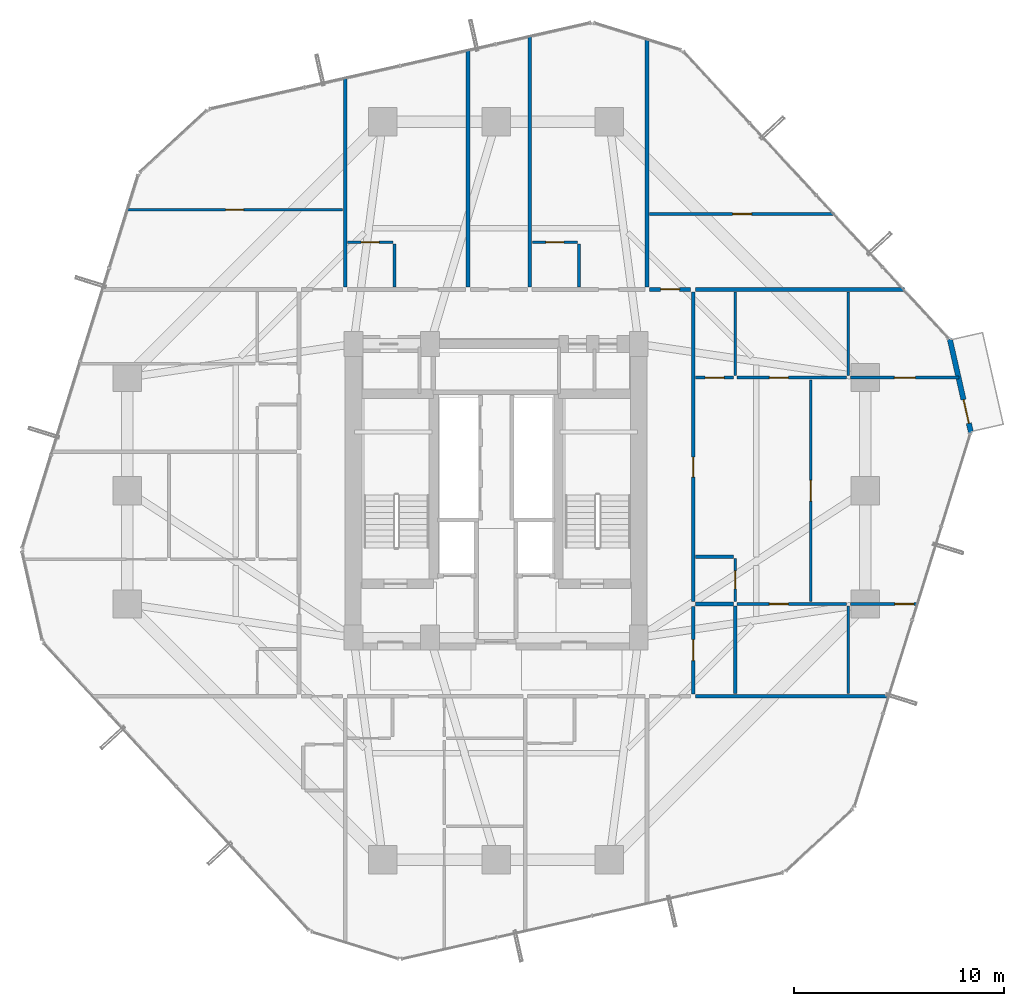
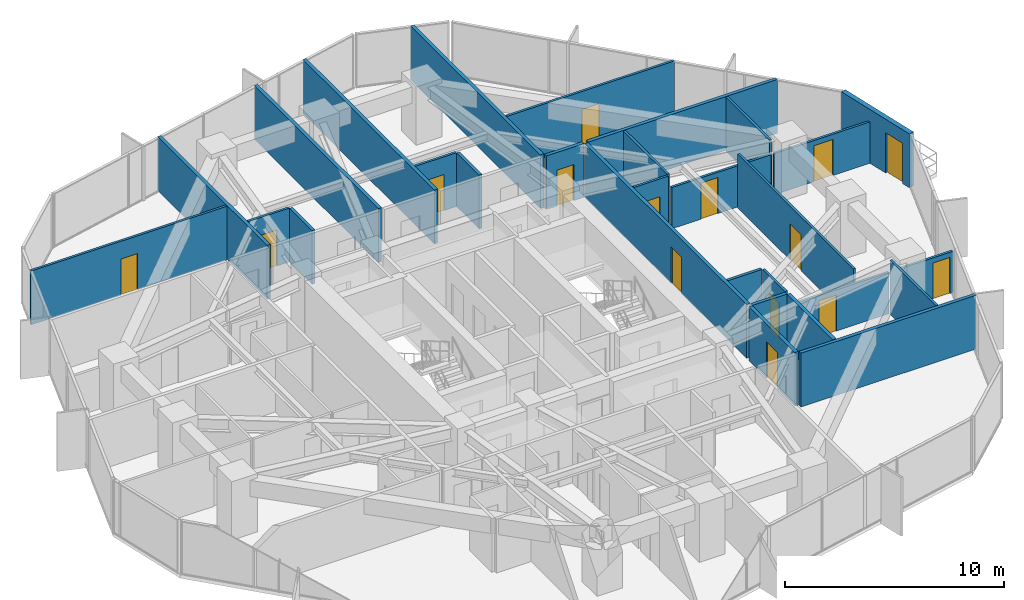
# One storey, part 36 of 39: 29 walls, 15 doors, 15 openings.
"""IFC4 building model written with IfcOpenShell, lengths in metres."""

from ifc_helpers import new_model, si_unit, direction, frame, frame_2d, origin, place, context, subcontext, project, spatial, rectangle, extrude, source, transform, mapped, material, layer, layer_set, type_object, element, fill, save


model = new_model("IFC4")

# Units and contexts
model_context = context("Model", 3, precision=1e-05, world=origin(), true_north=direction((0.0, 1.0)))
body_context = subcontext(model_context, "Body", "Model", "MODEL_VIEW")
ifc_project = project(units=[si_unit("LENGTHUNIT", "METRE"), si_unit("AREAUNIT", "SQUARE_METRE"), si_unit("VOLUMEUNIT", "CUBIC_METRE"), si_unit("PLANEANGLEUNIT", "RADIAN"), si_unit("MASSUNIT", "GRAM", prefix="KILO")], contexts=[model_context])

# Site, building, storey
site_placement = place(None, origin())
site = spatial("IfcSite", under=ifc_project, at=site_placement, CompositionType="ELEMENT")
building_placement = place(site_placement, origin())
building = spatial("IfcBuilding", under=site, at=building_placement, Name="Veraguas Prism Commons", CompositionType="ELEMENT")
storey_placement = place(building_placement, frame((0.0, 0.0, 67.35009765625)))
storey = spatial("IfcBuildingStorey", under=building, at=storey_placement, Name="L18", CompositionType="ELEMENT", Elevation=67.35009765625)

# Walls
ifc_material_1 = material(Name="Autoclaved aerated masonry block 10 MPa", Category="masonry")
ifc_layer_1 = layer(ifc_material_1, 0.179931640625, Name="Corridor and Inter-Tenancy Partition 180", Category="masonry")
ifc_layer_set_1 = layer_set([ifc_layer_1], Name="Autoclaved aerated masonry block 10 MPa")
wall_type_1 = type_object("IfcWallType", Name="Corridor and Inter-Tenancy Partition 180", PredefinedType="PARTITIONING", material=ifc_layer_set_1)
wall_1_placement = place(storey_placement, frame((16.800048828125, 33.719970703125, 0.0), z_axis=(0.0, 0.0, 1.0), x_axis=(0.0, 1.0, 0.0)))
element("IfcWall", 1, at=wall_1_placement, inside=storey, type_object=wall_type_1, Name="WL-L18-PT015", PredefinedType="PARTITIONING", context=body_context, shape_type="SweptSolid", body=[
    extrude(rectangle(XDim=9.9921875, YDim=0.179931640625, at=frame_2d((4.99609375, 0.0))), origin(), (0.0, 0.0, 1.0), 3.0),
])
wall_2_placement = place(storey_placement, frame((31.199951171875, 33.719970703125, 0.0), z_axis=(0.0, 0.0, 1.0), x_axis=(0.0, 1.0, 0.0)))
element("IfcWall", 2, at=wall_2_placement, inside=storey, type_object=wall_type_1, Name="WL-L18-PT016", PredefinedType="PARTITIONING", context=body_context, shape_type="SweptSolid", body=[
    extrude(rectangle(XDim=11.845947265625, YDim=0.179931640625, at=frame_2d((5.9228515625, 0.0))), origin(), (0.0, 0.0, 1.0), 3.0),
])
wall_3_placement = place(storey_placement, frame((22.657958984375, 33.719970703125, 0.0), z_axis=(0.0, 0.0, 1.0), x_axis=(0.0, 1.0, 0.0)))
element("IfcWall", 3, at=wall_3_placement, inside=storey, type_object=wall_type_1, Name="WL-L18-PT018", PredefinedType="PARTITIONING", context=body_context, shape_type="SweptSolid", body=[
    extrude(rectangle(XDim=11.316650390625, YDim=0.179931640625, at=frame_2d((5.658203125, 0.0))), origin(), (0.0, 0.0, 1.0), 3.0),
])
wall_4_placement = place(storey_placement, frame((25.60791015625, 33.719970703125, 0.0), z_axis=(0.0, 0.0, 1.0), x_axis=(0.0, 1.0, 0.0)))
element("IfcWall", 4, at=wall_4_placement, inside=storey, type_object=wall_type_1, Name="WL-L18-PT022", PredefinedType="PARTITIONING", context=body_context, shape_type="SweptSolid", body=[
    extrude(rectangle(XDim=11.983642578125, YDim=0.179931640625, at=frame_2d((5.99169921875, 0.0))), origin(), (0.0, 0.0, 1.0), 3.0),
])
wall_5_placement = place(storey_placement, frame((33.52001953125, 14.199951171875, 0.0), z_axis=(0.0, 0.0, 1.0), x_axis=(1.0, 0.0, 0.0)))
element("IfcWall", 5, at=wall_5_placement, inside=storey, type_object=wall_type_1, Name="WL-L18-PT043", PredefinedType="PARTITIONING", context=body_context, shape_type="SweptSolid", body=[
    extrude(rectangle(XDim=9.231201171875, YDim=0.179931640625, at=frame_2d((4.61572265625, 0.0))), origin(), (0.0, 0.0, 1.0), 3.0),
])
wall_6_placement = place(storey_placement, frame((33.52001953125, 33.60009765625, 0.0), z_axis=(0.0, 0.0, 1.0), x_axis=(1.0, 0.0, 0.0)))
element("IfcWall", 6, at=wall_6_placement, inside=storey, type_object=wall_type_1, Name="WL-L18-PT044", PredefinedType="PARTITIONING", context=body_context, shape_type="SweptSolid", body=[
    extrude(rectangle(XDim=9.94970703125, YDim=0.179931640625, at=frame_2d((4.974853515625, 0.0))), origin(), (0.0, 0.0, 1.0), 3.0),
])

# Wall, opening, door
wall_7_placement = place(storey_placement, frame((33.39990234375, 14.31005859375, 0.0), z_axis=(0.0, 0.0, 1.0), x_axis=(0.0, 1.0, 0.0)))
wall_7 = element("IfcWall", 7, at=wall_7_placement, inside=storey, type_object=wall_type_1, Name="WL-L18-PT045", PredefinedType="PARTITIONING", context=body_context, shape_type="SweptSolid", body=[
    extrude(rectangle(XDim=4.179931640625, YDim=0.179931640625, at=frame_2d((2.08984375, 0.0))), origin(), (0.0, 0.0, 1.0), 3.0),
])
opening_1_placement = place(wall_7_placement, frame((1.590087890625, 0.0, 0.0)))
opening_1 = element("IfcOpeningElement", 8, at=opening_1_placement, cuts=wall_7, Name="Opening DR-13", PredefinedType="OPENING", context=body_context, shape_type="SweptSolid", body=[
    extrude(rectangle(XDim=1.0, YDim=2.010009765625, at=frame_2d((0.5, 1.0048828125))), frame((0.0, 0.099853515625, 0.0), z_axis=(0.0, -1.0, 0.0), x_axis=(1.0, 0.0, 0.0)), (0.0, 0.0, 1.0), 0.199951171875),
])
ifc_material_2 = material(Name="Steel fire-rated door assembly", Category="steel")
door_type_1 = type_object("IfcDoorType", Name="Core Accessible WC and Clinic Fire Door 1000x2010", OperationType="NOTDEFINED", PredefinedType="DOOR", material=ifc_material_2)
shared_shape_1 = source(origin(), body_context, "Body", "SweptSolid", [
    extrude(rectangle(XDim=1.0, YDim=2.010009765625, at=frame_2d((0.5, 1.0048828125))), frame((0.0, 0.02490234375, 0.0), z_axis=(0.0, -1.0, 0.0), x_axis=(1.0, 0.0, 0.0)), (0.0, 0.0, 1.0), 0.050048828125),
])
door_1_placement = place(opening_1_placement, origin())
door_1 = element("IfcDoor", 9, at=door_1_placement, inside=storey, type_object=door_type_1, Name="Residents Study Alcove 18G Door", OperationType="SINGLE_SWING_LEFT", OverallHeight=2.010009765625, OverallWidth=1.0, PredefinedType="DOOR", context=body_context, shape_type="MappedRepresentation", body=[
    mapped(shared_shape_1, transform((0.0, 0.0, 0.0), scale=1.0)),
])
fill(opening_1, door_1)

wall_8_placement = place(storey_placement, frame((33.39990234375, 18.7099609375, 0.0), z_axis=(0.0, 0.0, 1.0), x_axis=(0.0, 1.0, 0.0)))
wall_8 = element("IfcWall", 10, at=wall_8_placement, inside=storey, type_object=wall_type_1, Name="WL-L18-PT046", PredefinedType="PARTITIONING", context=body_context, shape_type="SweptSolid", body=[
    extrude(rectangle(XDim=14.780029296875, YDim=0.179931640625, at=frame_2d((7.39013671875, 0.0))), origin(), (0.0, 0.0, 1.0), 3.0),
])
opening_2_placement = place(wall_8_placement, frame((5.93994140625, 0.0, 0.0)))
opening_2 = element("IfcOpeningElement", 11, at=opening_2_placement, cuts=wall_8, Name="Opening DR-01", PredefinedType="OPENING", context=body_context, shape_type="SweptSolid", body=[
    extrude(rectangle(XDim=0.949951171875, YDim=2.02001953125, at=frame_2d((0.47509765625, 1.010009765625))), frame((0.0, 0.099853515625, 0.0), z_axis=(0.0, -1.0, 0.0), x_axis=(1.0, 0.0, 0.0)), (0.0, 0.0, 1.0), 0.199951171875),
])
ifc_material_3 = material(Name="Anodised aluminium EN AW-6063 T6", Category="aluminium")
door_type_2 = type_object("IfcDoorType", Name="Apartment Entrance Fire Door 950x2020", OperationType="NOTDEFINED", PredefinedType="DOOR", material=ifc_material_3)
shared_shape_2 = source(origin(), body_context, "Body", "SweptSolid", [
    extrude(rectangle(XDim=0.949951171875, YDim=2.02001953125, at=frame_2d((0.47509765625, 1.010009765625))), frame((0.0, 0.02490234375, 0.0), z_axis=(0.0, -1.0, 0.0), x_axis=(1.0, 0.0, 0.0)), (0.0, 0.0, 1.0), 0.050048828125),
])
door_2_placement = place(opening_2_placement, origin())
door_2 = element("IfcDoor", 12, at=door_2_placement, inside=storey, type_object=door_type_2, Name="Flat 18G Entrance Door", OperationType="SINGLE_SWING_RIGHT", OverallHeight=2.02001953125, OverallWidth=0.949951171875, PredefinedType="DOOR", context=body_context, shape_type="MappedRepresentation", body=[
    mapped(shared_shape_2, transform((0.0, 0.0, 0.0), scale=1.0)),
])
fill(opening_2, door_2)

# Walls
wall_9_placement = place(storey_placement, frame((35.39990234375, 14.320068359375, 0.0), z_axis=(0.0, 0.0, 1.0), x_axis=(0.0, 1.0, 0.0)))
element("IfcWall", 13, at=wall_9_placement, inside=storey, type_object=wall_type_1, Name="WL-L18-PT052", PredefinedType="PARTITIONING", context=body_context, shape_type="SweptSolid", body=[
    extrude(rectangle(XDim=4.179931640625, YDim=0.179931640625, at=frame_2d((2.08984375, 0.0))), origin(), (0.0, 0.0, 1.0), 3.0),
])
wall_10_placement = place(storey_placement, frame((33.52001953125, 18.60009765625, 0.0), z_axis=(0.0, 0.0, 1.0), x_axis=(1.0, 0.0, 0.0)))
element("IfcWall", 14, at=wall_10_placement, inside=storey, type_object=wall_type_1, Name="WL-L18-PT053", PredefinedType="PARTITIONING", context=body_context, shape_type="SweptSolid", body=[
    extrude(rectangle(XDim=1.800048828125, YDim=0.179931640625, at=frame_2d((0.89990234375, 0.0))), origin(), (0.0, 0.0, 1.0), 3.0),
])

# Wall, opening, door
wall_11_placement = place(storey_placement, frame((31.320068359375, 33.60009765625, 0.0), z_axis=(0.0, 0.0, 1.0), x_axis=(1.0, 0.0, 0.0)))
wall_11 = element("IfcWall", 15, at=wall_11_placement, inside=storey, type_object=wall_type_1, Name="WL-L18-PT067", PredefinedType="PARTITIONING", context=body_context, shape_type="SweptSolid", body=[
    extrude(rectangle(XDim=1.9599609375, YDim=0.179931640625, at=frame_2d((0.97998046875, 0.0))), origin(), (0.0, 0.0, 1.0), 3.0),
])
opening_3_placement = place(wall_11_placement, frame((0.530029296875, 0.0, 0.0)))
opening_3 = element("IfcOpeningElement", 16, at=opening_3_placement, cuts=wall_11, Name="Opening DR-14", PredefinedType="OPENING", context=body_context, shape_type="SweptSolid", body=[
    extrude(rectangle(XDim=0.89990234375, YDim=2.010009765625, at=frame_2d((0.449951171875, 1.0048828125))), frame((0.0, 0.099853515625, 0.0), z_axis=(0.0, -1.0, 0.0), x_axis=(1.0, 0.0, 0.0)), (0.0, 0.0, 1.0), 0.199951171875),
])
door_type_3 = type_object("IfcDoorType", Name="Core Service Room Fire Door 900x2010", OperationType="NOTDEFINED", PredefinedType="DOOR", material=ifc_material_2)
shared_shape_3 = source(origin(), body_context, "Body", "SweptSolid", [
    extrude(rectangle(XDim=0.89990234375, YDim=2.010009765625, at=frame_2d((0.449951171875, 1.0048828125))), frame((0.0, 0.02490234375, 0.0), z_axis=(0.0, -1.0, 0.0), x_axis=(1.0, 0.0, 0.0)), (0.0, 0.0, 1.0), 0.050048828125),
])
door_3_placement = place(opening_3_placement, origin())
door_3 = element("IfcDoor", 17, at=door_3_placement, inside=storey, type_object=door_type_3, Name="Corner Study NE Door", OperationType="SINGLE_SWING_LEFT", OverallHeight=2.010009765625, OverallWidth=0.89990234375, PredefinedType="DOOR", context=body_context, shape_type="MappedRepresentation", body=[
    mapped(shared_shape_3, transform((0.0, 0.0, 0.0), scale=1.0)),
])
fill(opening_3, door_3)

ifc_material_4 = material(Name="Precast concrete C40/50", Category="concrete")
ifc_layer_2 = layer(ifc_material_4, 0.25, Name="External Loggia and Portal Wall 250", Category="concrete")
ifc_layer_set_2 = layer_set([ifc_layer_2], Name="Precast concrete C40/50")
wall_type_2 = type_object("IfcWallType", Name="External Loggia and Portal Wall 250", PredefinedType="SOLIDWALL", material=ifc_layer_set_2)
wall_12_placement = place(storey_placement, frame((46.647216796875, 26.772705078125, 0.0), z_axis=(0.0, 0.0, 1.0), x_axis=(-0.220535742642, 0.97537889367, 0.0)))
wall_12 = element("IfcWall", 18, at=wall_12_placement, inside=storey, type_object=wall_type_2, Name="Corner Loggia Wall L18-C1", PredefinedType="SOLIDWALL", context=body_context, shape_type="SweptSolid", body=[
    extrude(rectangle(XDim=4.579833984375, YDim=0.25, at=frame_2d((2.2900390625, 0.0))), origin(), (0.0, 0.0, 1.0), 3.0),
])
opening_4_placement = place(wall_12_placement, frame((0.4599609375, 0.0, 0.0)))
opening_4 = element("IfcOpeningElement", 19, at=opening_4_placement, cuts=wall_12, Name="Opening DR-10", PredefinedType="OPENING", context=body_context, shape_type="SweptSolid", body=[
    extrude(rectangle(XDim=1.14990234375, YDim=2.25, at=frame_2d((0.574951171875, 1.125))), frame((0.0, 0.135009765625, 0.0), z_axis=(0.0, -1.0, 0.0), x_axis=(1.0, 0.0, 0.0)), (0.0, 0.0, 1.0), 0.27001953125),
])
door_type_4 = type_object("IfcDoorType", Name="Glazed Loggia and Terrace Door 1150x2250", OperationType="NOTDEFINED", PredefinedType="DOOR", material=ifc_material_3)
shared_shape_4 = source(origin(), body_context, "Body", "SweptSolid", [
    extrude(rectangle(XDim=1.14990234375, YDim=2.25, at=frame_2d((0.574951171875, 1.125))), frame((0.0, 0.02490234375, 0.0), z_axis=(0.0, -1.0, 0.0), x_axis=(1.0, 0.0, 0.0)), (0.0, 0.0, 1.0), 0.050048828125),
])
door_4_placement = place(opening_4_placement, frame((1.14990234375, 0.0, 0.0), z_axis=(0.0, 0.0, 1.0), x_axis=(-1.0, 0.0, 0.0)))
door_4 = element("IfcDoor", 20, at=door_4_placement, inside=storey, type_object=door_type_4, Name="Recessed Loggia Door L18-C1", OperationType="SINGLE_SWING_RIGHT", OverallHeight=2.25, OverallWidth=1.14990234375, PredefinedType="DOOR", context=body_context, shape_type="MappedRepresentation", body=[
    mapped(shared_shape_4, transform((0.0, 0.0, 0.0), scale=1.0)),
])
fill(opening_4, door_4)

ifc_material_5 = material(Name="Lightweight acoustic gypsum board")
ifc_layer_3 = layer(ifc_material_5, 0.125, Name="Internal Apartment Room Partition 125")
ifc_layer_set_3 = layer_set([ifc_layer_3], Name="Lightweight acoustic gypsum board")
wall_type_3 = type_object("IfcWallType", Name="Internal Apartment Room Partition 125", PredefinedType="PARTITIONING", material=ifc_layer_set_3)
wall_13_placement = place(storey_placement, frame((16.919921875, 35.85009765625, 0.0), z_axis=(0.0, 0.0, 1.0), x_axis=(1.0, 0.0, 0.0)))
wall_13 = element("IfcWall", 21, at=wall_13_placement, inside=storey, type_object=wall_type_3, Name="WL-L18-PT021", PredefinedType="PARTITIONING", context=body_context, shape_type="SweptSolid", body=[
    extrude(rectangle(XDim=2.150146484375, YDim=0.125, at=frame_2d((1.0751953125, 0.0))), origin(), (0.0, 0.0, 1.0), 3.0),
])
opening_5_placement = place(wall_13_placement, frame((0.64501953125, 0.0, 0.0)))
opening_5 = element("IfcOpeningElement", 22, at=opening_5_placement, cuts=wall_13, Name="Opening DR-03", PredefinedType="OPENING", context=body_context, shape_type="SweptSolid", body=[
    extrude(rectangle(XDim=0.860107421875, YDim=2.010009765625, at=frame_2d((0.43017578125, 1.0048828125))), frame((0.0, 0.072509765625, 0.0), z_axis=(0.0, -1.0, 0.0), x_axis=(1.0, 0.0, 0.0)), (0.0, 0.0, 1.0), 0.14501953125),
])
ifc_material_6 = material(Name="Timber moisture-resistant leaf", Category="wood")
door_type_5 = type_object("IfcDoorType", Name="Internal Bathroom Door 860x2010", OperationType="NOTDEFINED", PredefinedType="DOOR", material=ifc_material_6)
shared_shape_5 = source(origin(), body_context, "Body", "SweptSolid", [
    extrude(rectangle(XDim=0.860107421875, YDim=2.010009765625, at=frame_2d((0.43017578125, 1.0048828125))), frame((0.0, 0.02490234375, 0.0), z_axis=(0.0, -1.0, 0.0), x_axis=(1.0, 0.0, 0.0)), (0.0, 0.0, 1.0), 0.050048828125),
])
door_5_placement = place(opening_5_placement, origin())
door_5 = element("IfcDoor", 23, at=door_5_placement, inside=storey, type_object=door_type_5, Name="Studio 18C Bathroom Door", OperationType="SINGLE_SWING_LEFT", OverallHeight=2.010009765625, OverallWidth=0.860107421875, PredefinedType="DOOR", context=body_context, shape_type="MappedRepresentation", body=[
    mapped(shared_shape_5, transform((0.0, 0.0, 0.0), scale=1.0)),
])
fill(opening_5, door_5)

wall_14_placement = place(storey_placement, frame((25.72802734375, 35.85009765625, 0.0), z_axis=(0.0, 0.0, 1.0), x_axis=(1.0, 0.0, 0.0)))
wall_14 = element("IfcWall", 24, at=wall_14_placement, inside=storey, type_object=wall_type_3, Name="WL-L18-PT025", PredefinedType="PARTITIONING", context=body_context, shape_type="SweptSolid", body=[
    extrude(rectangle(XDim=2.14990234375, YDim=0.125, at=frame_2d((1.074951171875, 0.0))), origin(), (0.0, 0.0, 1.0), 3.0),
])
opening_6_placement = place(wall_14_placement, frame((0.64501953125, 0.0, 0.0)))
opening_6 = element("IfcOpeningElement", 25, at=opening_6_placement, cuts=wall_14, Name="Opening DR-03", PredefinedType="OPENING", context=body_context, shape_type="SweptSolid", body=[
    extrude(rectangle(XDim=0.860107421875, YDim=2.010009765625, at=frame_2d((0.43017578125, 1.0048828125))), frame((0.0, 0.072509765625, 0.0), z_axis=(0.0, -1.0, 0.0), x_axis=(1.0, 0.0, 0.0)), (0.0, 0.0, 1.0), 0.14501953125),
])
door_6_placement = place(opening_6_placement, origin())
door_6 = element("IfcDoor", 26, at=door_6_placement, inside=storey, type_object=door_type_5, Name="Studio 18D Bathroom Door", OperationType="SINGLE_SWING_LEFT", OverallHeight=2.010009765625, OverallWidth=0.860107421875, PredefinedType="DOOR", context=body_context, shape_type="MappedRepresentation", body=[
    mapped(shared_shape_5, transform((0.0, 0.0, 0.0), scale=1.0)),
])
fill(opening_6, door_6)

# Wall
wall_15_placement = place(storey_placement, frame((40.800048828125, 14.320068359375, 0.0), z_axis=(0.0, 0.0, 1.0), x_axis=(0.0, 1.0, 0.0)))
element("IfcWall", 27, at=wall_15_placement, inside=storey, type_object=wall_type_3, Name="WL-L18-PT047", PredefinedType="PARTITIONING", context=body_context, shape_type="SweptSolid", body=[
    extrude(rectangle(XDim=4.179931640625, YDim=0.125, at=frame_2d((2.08984375, 0.0))), origin(), (0.0, 0.0, 1.0), 3.0),
])

# Wall, opening, door
wall_16_placement = place(storey_placement, frame((40.89990234375, 18.60009765625, 0.0), z_axis=(0.0, 0.0, 1.0), x_axis=(1.0, 0.0, 0.0)))
wall_16 = element("IfcWall", 28, at=wall_16_placement, inside=storey, type_object=wall_type_3, Name="WL-L18-PT048", PredefinedType="PARTITIONING", context=body_context, shape_type="SweptSolid", body=[
    extrude(rectangle(XDim=3.218505859375, YDim=0.125, at=frame_2d((1.609375, 0.0))), origin(), (0.0, 0.0, 1.0), 2.298828125),
])
opening_7_placement = place(wall_16_placement, frame((2.118408203125, 0.0, 0.0)))
opening_7 = element("IfcOpeningElement", 29, at=opening_7_placement, cuts=wall_16, Name="Opening DR-02", PredefinedType="OPENING", context=body_context, shape_type="SweptSolid", body=[
    extrude(rectangle(XDim=0.89990234375, YDim=2.010009765625, at=frame_2d((0.449951171875, 1.0048828125))), frame((0.0, 0.072509765625, 0.0), z_axis=(0.0, -1.0, 0.0), x_axis=(1.0, 0.0, 0.0)), (0.0, 0.0, 1.0), 0.14501953125),
])
ifc_material_7 = material(Name="Timber solid core hardwood", Category="wood")
door_type_6 = type_object("IfcDoorType", Name="Internal Habitable Room Door 900x2010", OperationType="NOTDEFINED", PredefinedType="DOOR", material=ifc_material_7)
door_7_placement = place(opening_7_placement, origin())
door_7 = element("IfcDoor", 30, at=door_7_placement, inside=storey, type_object=door_type_6, Name="Flat 18G Bedroom 3 Door", OperationType="SINGLE_SWING_LEFT", OverallHeight=2.010009765625, OverallWidth=0.89990234375, PredefinedType="DOOR", context=body_context, shape_type="MappedRepresentation", body=[
    mapped(shared_shape_3, transform((0.0, 0.0, 0.0), scale=1.0)),
])
fill(opening_7, door_7)

# Wall
wall_17_placement = place(storey_placement, frame((40.800048828125, 29.5, 0.0), z_axis=(0.0, 0.0, 1.0), x_axis=(0.0, 1.0, 0.0)))
element("IfcWall", 31, at=wall_17_placement, inside=storey, type_object=wall_type_3, Name="WL-L18-PT049", PredefinedType="PARTITIONING", context=body_context, shape_type="SweptSolid", body=[
    extrude(rectangle(XDim=3.97998046875, YDim=0.125, at=frame_2d((1.989990234375, 0.0))), origin(), (0.0, 0.0, 1.0), 3.0),
])

# Wall, opening, door
wall_18_placement = place(storey_placement, frame((40.89990234375, 29.39990234375, 0.0), z_axis=(0.0, 0.0, 1.0), x_axis=(1.0, 0.0, 0.0)))
wall_18 = element("IfcWall", 32, at=wall_18_placement, inside=storey, type_object=wall_type_3, Name="WL-L18-PT050", PredefinedType="PARTITIONING", context=body_context, shape_type="SweptSolid", body=[
    extrude(rectangle(XDim=5.183837890625, YDim=0.125, at=frame_2d((2.591796875, 0.0))), origin(), (0.0, 0.0, 1.0), 2.298828125),
])
opening_8_placement = place(wall_18_placement, frame((2.091796875, 0.0, 0.0)))
opening_8 = element("IfcOpeningElement", 33, at=opening_8_placement, cuts=wall_18, Name="Opening DR-04", PredefinedType="OPENING", context=body_context, shape_type="SweptSolid", body=[
    extrude(rectangle(XDim=1.0, YDim=2.010009765625, at=frame_2d((0.5, 1.0048828125))), frame((0.0, 0.072509765625, 0.0), z_axis=(0.0, -1.0, 0.0), x_axis=(1.0, 0.0, 0.0)), (0.0, 0.0, 1.0), 0.14501953125),
])
door_type_7 = type_object("IfcDoorType", Name="Accessible WC and Clinic Exam Door 1000x2010", OperationType="NOTDEFINED", PredefinedType="DOOR", material=ifc_material_3)
door_8_placement = place(opening_8_placement, origin())
door_8 = element("IfcDoor", 34, at=door_8_placement, inside=storey, type_object=door_type_7, Name="Flat 18G Study Door", OperationType="SINGLE_SWING_RIGHT", OverallHeight=2.010009765625, OverallWidth=1.0, PredefinedType="DOOR", context=body_context, shape_type="MappedRepresentation", body=[
    mapped(shared_shape_1, transform((0.0, 0.0, 0.0), scale=1.0)),
])
fill(opening_8, door_8)

wall_19_placement = place(storey_placement, frame((39.0, 18.719970703125, 0.0), z_axis=(0.0, 0.0, 1.0), x_axis=(0.0, 1.0, 0.0)))
wall_19 = element("IfcWall", 35, at=wall_19_placement, inside=storey, type_object=wall_type_3, Name="WL-L18-PT051", PredefinedType="PARTITIONING", context=body_context, shape_type="SweptSolid", body=[
    extrude(rectangle(XDim=10.56005859375, YDim=0.125, at=frame_2d((5.280029296875, 0.0))), origin(), (0.0, 0.0, 1.0), 3.0),
])
opening_9_placement = place(wall_19_placement, frame((4.780029296875, 0.0, 0.0)))
opening_9 = element("IfcOpeningElement", 36, at=opening_9_placement, cuts=wall_19, Name="Opening DR-04", PredefinedType="OPENING", context=body_context, shape_type="SweptSolid", body=[
    extrude(rectangle(XDim=1.0, YDim=2.010009765625, at=frame_2d((0.5, 1.0048828125))), frame((0.0, 0.072509765625, 0.0), z_axis=(0.0, -1.0, 0.0), x_axis=(1.0, 0.0, 0.0)), (0.0, 0.0, 1.0), 0.14501953125),
])
door_9_placement = place(opening_9_placement, origin())
door_9 = element("IfcDoor", 37, at=door_9_placement, inside=storey, type_object=door_type_7, Name="Flat 18G Sunroom Door", OperationType="SINGLE_SWING_LEFT", OverallHeight=2.010009765625, OverallWidth=1.0, PredefinedType="DOOR", context=body_context, shape_type="MappedRepresentation", body=[
    mapped(shared_shape_1, transform((0.0, 0.0, 0.0), scale=1.0)),
])
fill(opening_9, door_9)

wall_20_placement = place(storey_placement, frame((35.5, 18.60009765625, 0.0), z_axis=(0.0, 0.0, 1.0), x_axis=(1.0, 0.0, 0.0)))
wall_20 = element("IfcWall", 38, at=wall_20_placement, inside=storey, type_object=wall_type_3, Name="WL-L18-PT054", PredefinedType="PARTITIONING", context=body_context, shape_type="SweptSolid", body=[
    extrude(rectangle(XDim=5.219970703125, YDim=0.125, at=frame_2d((2.60986328125, 0.0))), origin(), (0.0, 0.0, 1.0), 2.298828125),
])
opening_10_placement = place(wall_20_placement, frame((1.53271484375, 0.0, 0.0)))
opening_10 = element("IfcOpeningElement", 39, at=opening_10_placement, cuts=wall_20, Name="Opening DR-02", PredefinedType="OPENING", context=body_context, shape_type="SweptSolid", body=[
    extrude(rectangle(XDim=0.89990234375, YDim=2.010009765625, at=frame_2d((0.449951171875, 1.0048828125))), frame((0.0, 0.072509765625, 0.0), z_axis=(0.0, -1.0, 0.0), x_axis=(1.0, 0.0, 0.0)), (0.0, 0.0, 1.0), 0.14501953125),
])
door_10_placement = place(opening_10_placement, origin())
door_10 = element("IfcDoor", 40, at=door_10_placement, inside=storey, type_object=door_type_6, Name="Flat 18G Bedroom 2 Door", OperationType="SINGLE_SWING_RIGHT", OverallHeight=2.010009765625, OverallWidth=0.89990234375, PredefinedType="DOOR", context=body_context, shape_type="MappedRepresentation", body=[
    mapped(shared_shape_3, transform((0.0, 0.0, 0.0), scale=1.0)),
])
fill(opening_10, door_10)

wall_21_placement = place(storey_placement, frame((35.39990234375, 18.719970703125, 0.0), z_axis=(0.0, 0.0, 1.0), x_axis=(0.0, 1.0, 0.0)))
wall_21 = element("IfcWall", 41, at=wall_21_placement, inside=storey, type_object=wall_type_3, Name="WL-L18-PT056", PredefinedType="PARTITIONING", context=body_context, shape_type="SweptSolid", body=[
    extrude(rectangle(XDim=2.050048828125, YDim=0.125, at=frame_2d((1.02490234375, 0.0))), origin(), (0.0, 0.0, 1.0), 3.0),
])
opening_11_placement = place(wall_21_placement, frame((0.594970703125, 0.0, 0.0)))
opening_11 = element("IfcOpeningElement", 42, at=opening_11_placement, cuts=wall_21, Name="Opening DR-03", PredefinedType="OPENING", context=body_context, shape_type="SweptSolid", body=[
    extrude(rectangle(XDim=0.860107421875, YDim=2.010009765625, at=frame_2d((0.43017578125, 1.0048828125))), frame((0.0, 0.072509765625, 0.0), z_axis=(0.0, -1.0, 0.0), x_axis=(1.0, 0.0, 0.0)), (0.0, 0.0, 1.0), 0.14501953125),
])
door_11_placement = place(opening_11_placement, origin())
door_11 = element("IfcDoor", 43, at=door_11_placement, inside=storey, type_object=door_type_5, Name="Flat 18G Bathroom Door", OperationType="SINGLE_SWING_LEFT", OverallHeight=2.010009765625, OverallWidth=0.860107421875, PredefinedType="DOOR", context=body_context, shape_type="MappedRepresentation", body=[
    mapped(shared_shape_5, transform((0.0, 0.0, 0.0), scale=1.0)),
])
fill(opening_11, door_11)

wall_22_placement = place(storey_placement, frame((33.52001953125, 29.39990234375, 0.0), z_axis=(0.0, 0.0, 1.0), x_axis=(1.0, 0.0, 0.0)))
wall_22 = element("IfcWall", 44, at=wall_22_placement, inside=storey, type_object=wall_type_3, Name="WL-L18-PT057", PredefinedType="PARTITIONING", context=body_context, shape_type="SweptSolid", body=[
    extrude(rectangle(XDim=1.800048828125, YDim=0.125, at=frame_2d((0.89990234375, 0.0))), origin(), (0.0, 0.0, 1.0), 3.0),
])
opening_12_placement = place(wall_22_placement, frame((0.449951171875, 0.0, 0.0)))
opening_12 = element("IfcOpeningElement", 45, at=opening_12_placement, cuts=wall_22, Name="Opening DR-02", PredefinedType="OPENING", context=body_context, shape_type="SweptSolid", body=[
    extrude(rectangle(XDim=0.89990234375, YDim=2.010009765625, at=frame_2d((0.449951171875, 1.0048828125))), frame((0.0, 0.072509765625, 0.0), z_axis=(0.0, -1.0, 0.0), x_axis=(1.0, 0.0, 0.0)), (0.0, 0.0, 1.0), 0.14501953125),
])
door_12_placement = place(opening_12_placement, origin())
door_12 = element("IfcDoor", 46, at=door_12_placement, inside=storey, type_object=door_type_6, Name="Flat 18G Kitchen Door", OperationType="SINGLE_SWING_RIGHT", OverallHeight=2.010009765625, OverallWidth=0.89990234375, PredefinedType="DOOR", context=body_context, shape_type="MappedRepresentation", body=[
    mapped(shared_shape_3, transform((0.0, 0.0, 0.0), scale=1.0)),
])
fill(opening_12, door_12)

# Wall
wall_23_placement = place(storey_placement, frame((35.39990234375, 29.5, 0.0), z_axis=(0.0, 0.0, 1.0), x_axis=(0.0, 1.0, 0.0)))
element("IfcWall", 47, at=wall_23_placement, inside=storey, type_object=wall_type_3, Name="WL-L18-PT058", PredefinedType="PARTITIONING", context=body_context, shape_type="SweptSolid", body=[
    extrude(rectangle(XDim=3.97998046875, YDim=0.125, at=frame_2d((1.989990234375, 0.0))), origin(), (0.0, 0.0, 1.0), 3.0),
])

# Wall, opening, door
wall_24_placement = place(storey_placement, frame((35.5, 29.39990234375, 0.0), z_axis=(0.0, 0.0, 1.0), x_axis=(1.0, 0.0, 0.0)))
wall_24 = element("IfcWall", 48, at=wall_24_placement, inside=storey, type_object=wall_type_3, Name="WL-L18-PT059", PredefinedType="PARTITIONING", context=body_context, shape_type="SweptSolid", body=[
    extrude(rectangle(XDim=5.219970703125, YDim=0.125, at=frame_2d((2.60986328125, 0.0))), origin(), (0.0, 0.0, 1.0), 2.298828125),
])
opening_13_placement = place(wall_24_placement, frame((1.53271484375, 0.0, 0.0)))
opening_13 = element("IfcOpeningElement", 49, at=opening_13_placement, cuts=wall_24, Name="Opening DR-02", PredefinedType="OPENING", context=body_context, shape_type="SweptSolid", body=[
    extrude(rectangle(XDim=0.89990234375, YDim=2.010009765625, at=frame_2d((0.449951171875, 1.0048828125))), frame((0.0, 0.072509765625, 0.0), z_axis=(0.0, -1.0, 0.0), x_axis=(1.0, 0.0, 0.0)), (0.0, 0.0, 1.0), 0.14501953125),
])
door_13_placement = place(opening_13_placement, origin())
door_13 = element("IfcDoor", 50, at=door_13_placement, inside=storey, type_object=door_type_6, Name="Flat 18G Bedroom 1 Door", OperationType="SINGLE_SWING_LEFT", OverallHeight=2.010009765625, OverallWidth=0.89990234375, PredefinedType="DOOR", context=body_context, shape_type="MappedRepresentation", body=[
    mapped(shared_shape_3, transform((0.0, 0.0, 0.0), scale=1.0)),
])
fill(opening_13, door_13)

wall_25_placement = place(storey_placement, frame((6.3671875, 37.39990234375, 0.0), z_axis=(0.0, 0.0, 1.0), x_axis=(1.0, 0.0, 0.0)))
wall_25 = element("IfcWall", 51, at=wall_25_placement, inside=storey, type_object=wall_type_3, Name="WL-L18-PT066", PredefinedType="PARTITIONING", context=body_context, shape_type="SweptSolid", body=[
    extrude(rectangle(XDim=10.312744140625, YDim=0.125, at=frame_2d((5.15625, 0.0))), origin(), (0.0, 0.0, 1.0), 3.0),
])
opening_14_placement = place(wall_25_placement, frame((4.726318359375, 0.0, 0.0)))
opening_14 = element("IfcOpeningElement", 52, at=opening_14_placement, cuts=wall_25, Name="Opening DR-03", PredefinedType="OPENING", context=body_context, shape_type="SweptSolid", body=[
    extrude(rectangle(XDim=0.860107421875, YDim=2.010009765625, at=frame_2d((0.43017578125, 1.0048828125))), frame((0.0, 0.072509765625, 0.0), z_axis=(0.0, -1.0, 0.0), x_axis=(1.0, 0.0, 0.0)), (0.0, 0.0, 1.0), 0.14501953125),
])
door_14_placement = place(opening_14_placement, origin())
door_14 = element("IfcDoor", 53, at=door_14_placement, inside=storey, type_object=door_type_5, Name="Corner Store NW Door", OperationType="SINGLE_SWING_RIGHT", OverallHeight=2.010009765625, OverallWidth=0.860107421875, PredefinedType="DOOR", context=body_context, shape_type="MappedRepresentation", body=[
    mapped(shared_shape_5, transform((0.0, 0.0, 0.0), scale=1.0)),
])
fill(opening_14, door_14)

wall_26_placement = place(storey_placement, frame((31.320068359375, 37.199951171875, 0.0), z_axis=(0.0, 0.0, 1.0), x_axis=(1.0, 0.0, 0.0)))
wall_26 = element("IfcWall", 54, at=wall_26_placement, inside=storey, type_object=wall_type_3, Name="WL-L18-PT068", PredefinedType="PARTITIONING", context=body_context, shape_type="SweptSolid", body=[
    extrude(rectangle(XDim=8.822998046875, YDim=0.125, at=frame_2d((4.41162109375, 0.0))), origin(), (0.0, 0.0, 1.0), 3.0),
])
opening_15_placement = place(wall_26_placement, frame((3.96142578125, 0.0, 0.0)))
opening_15 = element("IfcOpeningElement", 55, at=opening_15_placement, cuts=wall_26, Name="Opening DR-02", PredefinedType="OPENING", context=body_context, shape_type="SweptSolid", body=[
    extrude(rectangle(XDim=0.89990234375, YDim=2.010009765625, at=frame_2d((0.449951171875, 1.0048828125))), frame((0.0, 0.072509765625, 0.0), z_axis=(0.0, -1.0, 0.0), x_axis=(1.0, 0.0, 0.0)), (0.0, 0.0, 1.0), 0.14501953125),
])
door_15_placement = place(opening_15_placement, origin())
door_15 = element("IfcDoor", 56, at=door_15_placement, inside=storey, type_object=door_type_6, Name="Craft Room NE Door", OperationType="SINGLE_SWING_RIGHT", OverallHeight=2.010009765625, OverallWidth=0.89990234375, PredefinedType="DOOR", context=body_context, shape_type="MappedRepresentation", body=[
    mapped(shared_shape_3, transform((0.0, 0.0, 0.0), scale=1.0)),
])
fill(opening_15, door_15)

# Walls
ifc_layer_4 = layer(ifc_material_5, 0.14990234375, Name="Wet Room and Clinic Acoustic Partition 150")
ifc_layer_set_4 = layer_set([ifc_layer_4], Name="Lightweight acoustic gypsum board")
wall_type_4 = type_object("IfcWallType", Name="Wet Room and Clinic Acoustic Partition 150", PredefinedType="PARTITIONING", material=ifc_layer_set_4)
for number, where, z_axis, x_axis, name in (
    (57, (19.14990234375, 33.719970703125, 0.0), (0.0, 0.0, 1.0), (0.0, 1.0, 0.0), "WL-L18-PT020"),
    (58, (27.9580078125, 33.719970703125, 0.0), (0.0, 0.0, 1.0), (0.0, 1.0, 0.0), "WL-L18-PT024"),
):
    element("IfcWall", number, at=place(storey_placement, frame(where, z_axis=z_axis, x_axis=x_axis)), inside=storey, type_object=wall_type_4, Name=name, PredefinedType="PARTITIONING", context=body_context, shape_type="SweptSolid", body=[
        extrude(rectangle(XDim=2.050048828125, YDim=0.14990234375, at=frame_2d((1.02490234375, 0.0))), origin(), (0.0, 0.0, 1.0), 3.0),
    ])
wall_27_placement = place(storey_placement, frame((33.52001953125, 20.85009765625, 0.0), z_axis=(0.0, 0.0, 1.0), x_axis=(1.0, 0.0, 0.0)))
element("IfcWall", 59, at=wall_27_placement, inside=storey, type_object=wall_type_4, Name="WL-L18-PT055", PredefinedType="PARTITIONING", context=body_context, shape_type="SweptSolid", body=[
    extrude(rectangle(XDim=1.800048828125, YDim=0.14990234375, at=frame_2d((0.89990234375, 0.0))), origin(), (0.0, 0.0, 1.0), 3.0),
])

save(model, "model.ifc")
